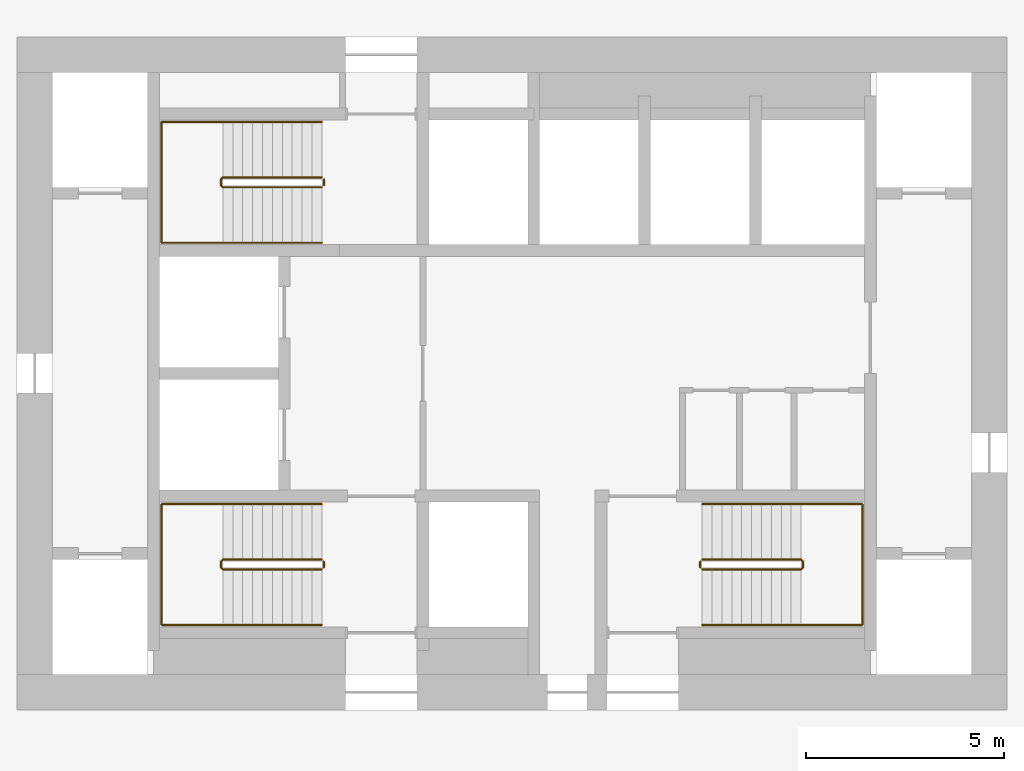
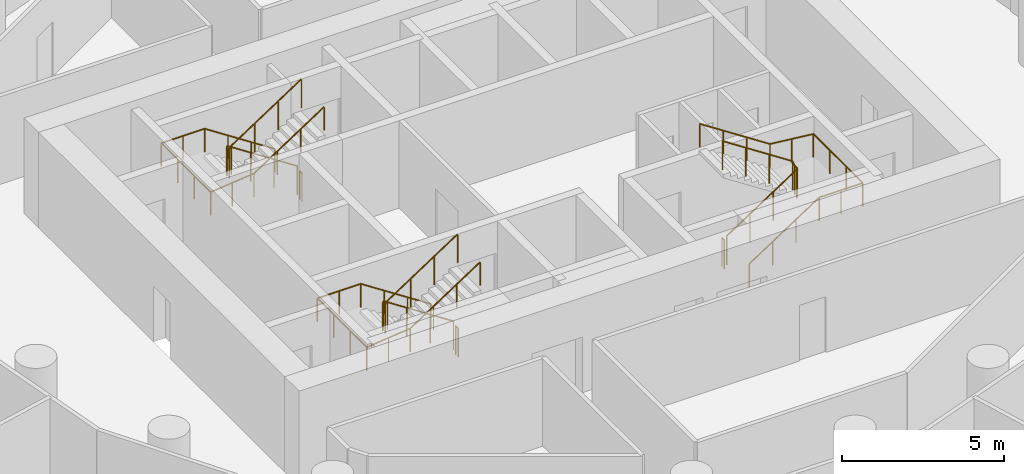
# One storey, part 9 of 9: 9 railings.
"""IFC4 building model written with IfcOpenShell, lengths in metres."""

from ifc_helpers import new_model, si_unit, direction, frame, origin, origin_2d, place, context, subcontext, project, spatial, circle, extrude, material, type_object, element, save


model = new_model("IFC4")

# Units and contexts
model_context = context("Model", 3, precision=1e-05, world=origin(), true_north=direction((0.0, 1.0)))
body_context = subcontext(model_context, "Body", "Model", "MODEL_VIEW")
ifc_project = project(units=[si_unit("LENGTHUNIT", "METRE"), si_unit("AREAUNIT", "SQUARE_METRE"), si_unit("VOLUMEUNIT", "CUBIC_METRE"), si_unit("PLANEANGLEUNIT", "RADIAN"), si_unit("MASSUNIT", "GRAM", prefix="KILO")], contexts=[model_context])

# Site, building, storey
site_placement = place(None, origin())
site = spatial("IfcSite", under=ifc_project, at=site_placement, CompositionType="ELEMENT")
building_placement = place(site_placement, origin())
building = spatial("IfcBuilding", under=site, at=building_placement, Name="Tracery Tower", CompositionType="ELEMENT")
storey_placement = place(building_placement, frame((0.0, 0.0, 165.60009765625)))
storey = spatial("IfcBuildingStorey", under=building, at=storey_placement, Name="L42", CompositionType="ELEMENT", Elevation=165.60009765625)

# Railings
ifc_material_1 = material(Name="Stainless steel and laminated glass", Category="steel")
railing_type_1 = type_object("IfcRailingType", Name="Stair guard 1100", PredefinedType="GUARDRAIL", material=ifc_material_1)
railing_1_placement = place(storey_placement, frame((-4.800048828125, -4.699951171875, 0.16357421875)))
element("IfcRailing", 1, at=railing_1_placement, inside=storey, type_object=railing_type_1, Name="L42 stair ST1 guard 1", PredefinedType="GUARDRAIL", context=body_context, shape_type="SweptSolid", body=[
    extrude(circle(Radius=0.02392578125, at=origin_2d()), frame((0.0, 0.0, 1.076171875), z_axis=(-0.836721939367, 0.0, 0.547627972425), x_axis=(0.0, -1.0, 0.0)), (0.0, 0.0, 1.0), 2.98779296875),
    extrude(circle(Radius=0.02392578125, at=origin_2d()), frame((-2.5, 0.0, 2.71240234375), z_axis=(-0.707106781187, -0.707106781187, 0.0), x_axis=(0.707106781187, -0.707106781187, 0.0)), (0.0, 0.0, 1.0), 0.07080078125),
    extrude(circle(Radius=0.02392578125, at=origin_2d()), frame((-2.550048828125, -0.050048828125, 2.71240234375), z_axis=(0.0, -1.0, 0.0), x_axis=(1.0, 0.0, 0.0)), (0.0, 0.0, 1.0), 0.14990234375),
    extrude(circle(Radius=0.02392578125, at=origin_2d()), frame((-2.550048828125, -0.199951171875, 2.71240234375), z_axis=(0.280456126637, -0.280456126637, 0.917980785237), x_axis=(0.707106781187, 0.707106781187, 0.0)), (0.0, 0.0, 1.0), 0.178466796875),
    extrude(circle(Radius=0.02392578125, at=origin_2d()), frame((-2.5, -0.25, 2.8759765625), z_axis=(0.836721939367, 0.0, 0.547627972425), x_axis=(0.0, 1.0, 0.0)), (0.0, 0.0, 1.0), 2.98779296875),
    extrude(circle(Radius=0.02099609375, at=origin_2d()), origin(), (0.0, 0.0, 1.0), 1.052001953125),
    extrude(circle(Radius=0.02099609375, at=origin_2d()), frame((-0.833251953125, 0.0, 0.54541015625)), (0.0, 0.0, 1.0), 1.052001953125),
    extrude(circle(Radius=0.02099609375, at=origin_2d()), frame((-1.666748046875, 0.0, 1.0908203125)), (0.0, 0.0, 1.0), 1.052001953125),
    extrude(circle(Radius=0.02099609375, at=origin_2d()), frame((-2.5, 0.0, 1.63623046875)), (0.0, 0.0, 1.0), 1.052001953125),
    extrude(circle(Radius=0.02099609375, at=origin_2d()), frame((-2.550048828125, -0.050048828125, 1.63623046875)), (0.0, 0.0, 1.0), 1.052001953125),
    extrude(circle(Radius=0.02099609375, at=origin_2d()), frame((-2.550048828125, -0.199951171875, 1.63623046875)), (0.0, 0.0, 1.0), 1.052001953125),
    extrude(circle(Radius=0.02099609375, at=origin_2d()), frame((-2.5, -0.25, 1.800048828125)), (0.0, 0.0, 1.0), 1.052001953125),
    extrude(circle(Radius=0.02099609375, at=origin_2d()), frame((-1.666748046875, -0.25, 2.345458984375)), (0.0, 0.0, 1.0), 1.052001953125),
    extrude(circle(Radius=0.02099609375, at=origin_2d()), frame((-0.833251953125, -0.25, 2.890869140625)), (0.0, 0.0, 1.0), 1.052001953125),
    extrude(circle(Radius=0.02099609375, at=origin_2d()), frame((0.0, -0.25, 3.436279296875)), (0.0, 0.0, 1.0), 1.052001953125),
])
railing_2_placement = place(storey_placement, frame((-4.75, -4.75, 0.0)))
element("IfcRailing", 2, at=railing_2_placement, inside=storey, type_object=railing_type_1, Name="L42 stair ST1 guard 2", PredefinedType="GUARDRAIL", context=body_context, shape_type="SweptSolid", body=[
    extrude(circle(Radius=0.02392578125, at=origin_2d()), frame((0.0, 0.0, 1.076171875), z_axis=(0.0, -1.0, 0.0), x_axis=(1.0, 0.0, 0.0)), (0.0, 0.0, 1.0), 0.14990234375),
    extrude(circle(Radius=0.02099609375, at=origin_2d()), origin(), (0.0, 0.0, 1.0), 1.052001953125),
    extrude(circle(Radius=0.02099609375, at=origin_2d()), frame((0.0, -0.14990234375, 0.0)), (0.0, 0.0, 1.0), 1.052001953125),
])
railing_3_placement = place(storey_placement, frame((-4.800048828125, 4.949951171875, 0.16357421875)))
element("IfcRailing", 3, at=railing_3_placement, inside=storey, type_object=railing_type_1, Name="L42 stair ST3 guard 1", PredefinedType="GUARDRAIL", context=body_context, shape_type="SweptSolid", body=[
    extrude(circle(Radius=0.02392578125, at=origin_2d()), frame((0.0, 0.0, 1.076171875), z_axis=(-0.836721939367, 0.0, 0.547627972425), x_axis=(0.0, -1.0, 0.0)), (0.0, 0.0, 1.0), 2.98779296875),
    extrude(circle(Radius=0.02392578125, at=origin_2d()), frame((-2.5, 0.0, 2.71240234375), z_axis=(-0.707106781187, -0.707106781187, 0.0), x_axis=(0.707106781187, -0.707106781187, 0.0)), (0.0, 0.0, 1.0), 0.07080078125),
    extrude(circle(Radius=0.02392578125, at=origin_2d()), frame((-2.550048828125, -0.050048828125, 2.71240234375), z_axis=(0.0, -1.0, 0.0), x_axis=(1.0, 0.0, 0.0)), (0.0, 0.0, 1.0), 0.14990234375),
    extrude(circle(Radius=0.02392578125, at=origin_2d()), frame((-2.550048828125, -0.199951171875, 2.71240234375), z_axis=(0.280456126637, -0.280456126637, 0.917980785237), x_axis=(0.707106781187, 0.707106781187, 0.0)), (0.0, 0.0, 1.0), 0.178466796875),
    extrude(circle(Radius=0.02392578125, at=origin_2d()), frame((-2.5, -0.25, 2.8759765625), z_axis=(0.836721939367, 0.0, 0.547627972425), x_axis=(0.0, 1.0, 0.0)), (0.0, 0.0, 1.0), 2.98779296875),
    extrude(circle(Radius=0.02099609375, at=origin_2d()), origin(), (0.0, 0.0, 1.0), 1.052001953125),
    extrude(circle(Radius=0.02099609375, at=origin_2d()), frame((-0.833251953125, 0.0, 0.54541015625)), (0.0, 0.0, 1.0), 1.052001953125),
    extrude(circle(Radius=0.02099609375, at=origin_2d()), frame((-1.666748046875, 0.0, 1.0908203125)), (0.0, 0.0, 1.0), 1.052001953125),
    extrude(circle(Radius=0.02099609375, at=origin_2d()), frame((-2.5, 0.0, 1.63623046875)), (0.0, 0.0, 1.0), 1.052001953125),
    extrude(circle(Radius=0.02099609375, at=origin_2d()), frame((-2.550048828125, -0.050048828125, 1.63623046875)), (0.0, 0.0, 1.0), 1.052001953125),
    extrude(circle(Radius=0.02099609375, at=origin_2d()), frame((-2.550048828125, -0.199951171875, 1.63623046875)), (0.0, 0.0, 1.0), 1.052001953125),
    extrude(circle(Radius=0.02099609375, at=origin_2d()), frame((-2.5, -0.25, 1.800048828125)), (0.0, 0.0, 1.0), 1.052001953125),
    extrude(circle(Radius=0.02099609375, at=origin_2d()), frame((-1.666748046875, -0.25, 2.345458984375)), (0.0, 0.0, 1.0), 1.052001953125),
    extrude(circle(Radius=0.02099609375, at=origin_2d()), frame((-0.833251953125, -0.25, 2.890869140625)), (0.0, 0.0, 1.0), 1.052001953125),
    extrude(circle(Radius=0.02099609375, at=origin_2d()), frame((0.0, -0.25, 3.436279296875)), (0.0, 0.0, 1.0), 1.052001953125),
])
railing_4_placement = place(storey_placement, frame((-4.75, 4.89990234375, 0.0)))
element("IfcRailing", 4, at=railing_4_placement, inside=storey, type_object=railing_type_1, Name="L42 stair ST3 guard 2", PredefinedType="GUARDRAIL", context=body_context, shape_type="SweptSolid", body=[
    extrude(circle(Radius=0.02392578125, at=origin_2d()), frame((0.0, 0.0, 1.076171875), z_axis=(0.0, -1.0, 0.0), x_axis=(1.0, 0.0, 0.0)), (0.0, 0.0, 1.0), 0.14990234375),
    extrude(circle(Radius=0.02099609375, at=origin_2d()), origin(), (0.0, 0.0, 1.0), 1.052001953125),
    extrude(circle(Radius=0.02099609375, at=origin_2d()), frame((0.0, -0.14990234375, 0.0)), (0.0, 0.0, 1.0), 1.052001953125),
])
railing_5_placement = place(storey_placement, frame((4.800048828125, -4.949951171875, 0.16357421875)))
element("IfcRailing", 5, at=railing_5_placement, inside=storey, type_object=railing_type_1, Name="L42 stair ST2 guard 1", PredefinedType="GUARDRAIL", context=body_context, shape_type="SweptSolid", body=[
    extrude(circle(Radius=0.02392578125, at=origin_2d()), frame((0.0, 0.0, 1.076171875), z_axis=(0.836721939367, 0.0, 0.547627972425), x_axis=(0.0, 1.0, 0.0)), (0.0, 0.0, 1.0), 2.98779296875),
    extrude(circle(Radius=0.02392578125, at=origin_2d()), frame((2.5, 0.0, 2.71240234375), z_axis=(0.707106781187, 0.707106781187, 0.0), x_axis=(-0.707106781187, 0.707106781187, 0.0)), (0.0, 0.0, 1.0), 0.07080078125),
    extrude(circle(Radius=0.02392578125, at=origin_2d()), frame((2.550048828125, 0.050048828125, 2.71240234375), z_axis=(0.0, 1.0, 0.0), x_axis=(-1.0, 0.0, 0.0)), (0.0, 0.0, 1.0), 0.14990234375),
    extrude(circle(Radius=0.02392578125, at=origin_2d()), frame((2.550048828125, 0.199951171875, 2.71240234375), z_axis=(-0.280456126637, 0.280456126637, 0.917980785237), x_axis=(-0.707106781187, -0.707106781187, 0.0)), (0.0, 0.0, 1.0), 0.178466796875),
    extrude(circle(Radius=0.02392578125, at=origin_2d()), frame((2.5, 0.25, 2.8759765625), z_axis=(-0.836721939367, 0.0, 0.547627972425), x_axis=(0.0, -1.0, 0.0)), (0.0, 0.0, 1.0), 2.98779296875),
    extrude(circle(Radius=0.02099609375, at=origin_2d()), origin(), (0.0, 0.0, 1.0), 1.052001953125),
    extrude(circle(Radius=0.02099609375, at=origin_2d()), frame((0.833251953125, 0.0, 0.54541015625)), (0.0, 0.0, 1.0), 1.052001953125),
    extrude(circle(Radius=0.02099609375, at=origin_2d()), frame((1.666748046875, 0.0, 1.0908203125)), (0.0, 0.0, 1.0), 1.052001953125),
    extrude(circle(Radius=0.02099609375, at=origin_2d()), frame((2.5, 0.0, 1.63623046875)), (0.0, 0.0, 1.0), 1.052001953125),
    extrude(circle(Radius=0.02099609375, at=origin_2d()), frame((2.550048828125, 0.050048828125, 1.63623046875)), (0.0, 0.0, 1.0), 1.052001953125),
    extrude(circle(Radius=0.02099609375, at=origin_2d()), frame((2.550048828125, 0.199951171875, 1.63623046875)), (0.0, 0.0, 1.0), 1.052001953125),
    extrude(circle(Radius=0.02099609375, at=origin_2d()), frame((2.5, 0.25, 1.800048828125)), (0.0, 0.0, 1.0), 1.052001953125),
    extrude(circle(Radius=0.02099609375, at=origin_2d()), frame((1.666748046875, 0.25, 2.345458984375)), (0.0, 0.0, 1.0), 1.052001953125),
    extrude(circle(Radius=0.02099609375, at=origin_2d()), frame((0.833251953125, 0.25, 2.890869140625)), (0.0, 0.0, 1.0), 1.052001953125),
    extrude(circle(Radius=0.02099609375, at=origin_2d()), frame((0.0, 0.25, 3.436279296875)), (0.0, 0.0, 1.0), 1.052001953125),
])
railing_6_placement = place(storey_placement, frame((4.75, -4.89990234375, 0.0)))
element("IfcRailing", 6, at=railing_6_placement, inside=storey, type_object=railing_type_1, Name="L42 stair ST2 guard 2", PredefinedType="GUARDRAIL", context=body_context, shape_type="SweptSolid", body=[
    extrude(circle(Radius=0.02392578125, at=origin_2d()), frame((0.0, 0.0, 1.076171875), z_axis=(0.0, 1.0, 0.0), x_axis=(-1.0, 0.0, 0.0)), (0.0, 0.0, 1.0), 0.14990234375),
    extrude(circle(Radius=0.02099609375, at=origin_2d()), origin(), (0.0, 0.0, 1.0), 1.052001953125),
    extrude(circle(Radius=0.02099609375, at=origin_2d()), frame((0.0, 0.14990234375, 0.0)), (0.0, 0.0, 1.0), 1.052001953125),
])
ifc_material_2 = material(Name="Stainless steel and laminated glass", Category="steel")
railing_type_2 = type_object("IfcRailingType", Name="Stair handrail 900", PredefinedType="HANDRAIL", material=ifc_material_2)
railing_7_placement = place(storey_placement, frame((-4.800048828125, -3.300048828125, 0.16357421875)))
element("IfcRailing", 7, at=railing_7_placement, inside=storey, type_object=railing_type_2, Name="L42 stair ST1 handrail 1", PredefinedType="HANDRAIL", context=body_context, shape_type="SweptSolid", body=[
    extrude(circle(Radius=0.02392578125, at=origin_2d()), frame((0.0, 0.0, 0.8759765625), z_axis=(-0.836721939367, 0.0, 0.547627972425), x_axis=(0.0, -1.0, 0.0)), (0.0, 0.0, 1.0), 2.98779296875),
    extrude(circle(Radius=0.02392578125, at=origin_2d()), frame((-2.5, 0.0, 2.51220703125), z_axis=(-1.0, 0.0, 0.0), x_axis=(0.0, -1.0, 0.0)), (0.0, 0.0, 1.0), 1.550048828125),
    extrude(circle(Radius=0.02392578125, at=origin_2d()), frame((-4.050048828125, 0.0, 2.51220703125), z_axis=(0.0, -1.0, 0.0), x_axis=(1.0, 0.0, 0.0)), (0.0, 0.0, 1.0), 3.050048828125),
    extrude(circle(Radius=0.02392578125, at=origin_2d()), frame((-4.050048828125, -3.050048828125, 2.51220703125), z_axis=(0.994461594632, 0.0, 0.105100603244), x_axis=(0.0, 1.0, 0.0)), (0.0, 0.0, 1.0), 1.55859375),
    extrude(circle(Radius=0.02392578125, at=origin_2d()), frame((-2.5, -3.050048828125, 2.67578125), z_axis=(0.836721939367, 0.0, 0.547627972425), x_axis=(0.0, 1.0, 0.0)), (0.0, 0.0, 1.0), 2.98779296875),
    extrude(circle(Radius=0.02099609375, at=origin_2d()), origin(), (0.0, 0.0, 1.0), 0.851806640625),
    extrude(circle(Radius=0.02099609375, at=origin_2d()), frame((-0.833251953125, 0.0, 0.54541015625)), (0.0, 0.0, 1.0), 0.851806640625),
    extrude(circle(Radius=0.02099609375, at=origin_2d()), frame((-1.666748046875, 0.0, 1.0908203125)), (0.0, 0.0, 1.0), 0.851806640625),
    extrude(circle(Radius=0.02099609375, at=origin_2d()), frame((-2.5, 0.0, 1.63623046875)), (0.0, 0.0, 1.0), 0.851806640625),
    extrude(circle(Radius=0.02099609375, at=origin_2d()), frame((-3.27490234375, 0.0, 1.63623046875)), (0.0, 0.0, 1.0), 0.851806640625),
    extrude(circle(Radius=0.02099609375, at=origin_2d()), frame((-4.050048828125, 0.0, 1.63623046875)), (0.0, 0.0, 1.0), 0.851806640625),
    extrude(circle(Radius=0.02099609375, at=origin_2d()), frame((-4.050048828125, -1.0166015625, 1.63623046875)), (0.0, 0.0, 1.0), 0.851806640625),
    extrude(circle(Radius=0.02099609375, at=origin_2d()), frame((-4.050048828125, -2.033447265625, 1.63623046875)), (0.0, 0.0, 1.0), 0.851806640625),
    extrude(circle(Radius=0.02099609375, at=origin_2d()), frame((-4.050048828125, -3.050048828125, 1.63623046875)), (0.0, 0.0, 1.0), 0.851806640625),
    extrude(circle(Radius=0.02099609375, at=origin_2d()), frame((-3.27490234375, -3.050048828125, 1.71826171875)), (0.0, 0.0, 1.0), 0.851806640625),
    extrude(circle(Radius=0.02099609375, at=origin_2d()), frame((-2.5, -3.050048828125, 1.800048828125)), (0.0, 0.0, 1.0), 0.851806640625),
    extrude(circle(Radius=0.02099609375, at=origin_2d()), frame((-1.666748046875, -3.050048828125, 2.345458984375)), (0.0, 0.0, 1.0), 0.851806640625),
    extrude(circle(Radius=0.02099609375, at=origin_2d()), frame((-0.833251953125, -3.050048828125, 2.890869140625)), (0.0, 0.0, 1.0), 0.851806640625),
    extrude(circle(Radius=0.02099609375, at=origin_2d()), frame((0.0, -3.050048828125, 3.436279296875)), (0.0, 0.0, 1.0), 0.851806640625),
])
railing_8_placement = place(storey_placement, frame((-4.800048828125, 6.35009765625, 0.16357421875)))
element("IfcRailing", 8, at=railing_8_placement, inside=storey, type_object=railing_type_2, Name="L42 stair ST3 handrail 1", PredefinedType="HANDRAIL", context=body_context, shape_type="SweptSolid", body=[
    extrude(circle(Radius=0.02392578125, at=origin_2d()), frame((0.0, 0.0, 0.8759765625), z_axis=(-0.836721939367, 0.0, 0.547627972425), x_axis=(0.0, -1.0, 0.0)), (0.0, 0.0, 1.0), 2.98779296875),
    extrude(circle(Radius=0.02392578125, at=origin_2d()), frame((-2.5, 0.0, 2.51220703125), z_axis=(-1.0, 0.0, 0.0), x_axis=(0.0, -1.0, 0.0)), (0.0, 0.0, 1.0), 1.550048828125),
    extrude(circle(Radius=0.02392578125, at=origin_2d()), frame((-4.050048828125, 0.0, 2.51220703125), z_axis=(0.0, -1.0, 0.0), x_axis=(1.0, 0.0, 0.0)), (0.0, 0.0, 1.0), 3.050048828125),
    extrude(circle(Radius=0.02392578125, at=origin_2d()), frame((-4.050048828125, -3.050048828125, 2.51220703125), z_axis=(0.994461594632, 0.0, 0.105100603244), x_axis=(0.0, 1.0, 0.0)), (0.0, 0.0, 1.0), 1.55859375),
    extrude(circle(Radius=0.02392578125, at=origin_2d()), frame((-2.5, -3.050048828125, 2.67578125), z_axis=(0.836721939367, 0.0, 0.547627972425), x_axis=(0.0, 1.0, 0.0)), (0.0, 0.0, 1.0), 2.98779296875),
    extrude(circle(Radius=0.02099609375, at=origin_2d()), origin(), (0.0, 0.0, 1.0), 0.851806640625),
    extrude(circle(Radius=0.02099609375, at=origin_2d()), frame((-0.833251953125, 0.0, 0.54541015625)), (0.0, 0.0, 1.0), 0.851806640625),
    extrude(circle(Radius=0.02099609375, at=origin_2d()), frame((-1.666748046875, 0.0, 1.0908203125)), (0.0, 0.0, 1.0), 0.851806640625),
    extrude(circle(Radius=0.02099609375, at=origin_2d()), frame((-2.5, 0.0, 1.63623046875)), (0.0, 0.0, 1.0), 0.851806640625),
    extrude(circle(Radius=0.02099609375, at=origin_2d()), frame((-3.27490234375, 0.0, 1.63623046875)), (0.0, 0.0, 1.0), 0.851806640625),
    extrude(circle(Radius=0.02099609375, at=origin_2d()), frame((-4.050048828125, 0.0, 1.63623046875)), (0.0, 0.0, 1.0), 0.851806640625),
    extrude(circle(Radius=0.02099609375, at=origin_2d()), frame((-4.050048828125, -1.0166015625, 1.63623046875)), (0.0, 0.0, 1.0), 0.851806640625),
    extrude(circle(Radius=0.02099609375, at=origin_2d()), frame((-4.050048828125, -2.033447265625, 1.63623046875)), (0.0, 0.0, 1.0), 0.851806640625),
    extrude(circle(Radius=0.02099609375, at=origin_2d()), frame((-4.050048828125, -3.050048828125, 1.63623046875)), (0.0, 0.0, 1.0), 0.851806640625),
    extrude(circle(Radius=0.02099609375, at=origin_2d()), frame((-3.27490234375, -3.050048828125, 1.71826171875)), (0.0, 0.0, 1.0), 0.851806640625),
    extrude(circle(Radius=0.02099609375, at=origin_2d()), frame((-2.5, -3.050048828125, 1.800048828125)), (0.0, 0.0, 1.0), 0.851806640625),
    extrude(circle(Radius=0.02099609375, at=origin_2d()), frame((-1.666748046875, -3.050048828125, 2.345458984375)), (0.0, 0.0, 1.0), 0.851806640625),
    extrude(circle(Radius=0.02099609375, at=origin_2d()), frame((-0.833251953125, -3.050048828125, 2.890869140625)), (0.0, 0.0, 1.0), 0.851806640625),
    extrude(circle(Radius=0.02099609375, at=origin_2d()), frame((0.0, -3.050048828125, 3.436279296875)), (0.0, 0.0, 1.0), 0.851806640625),
])
railing_9_placement = place(storey_placement, frame((4.800048828125, -6.35009765625, 0.16357421875)))
element("IfcRailing", 9, at=railing_9_placement, inside=storey, type_object=railing_type_2, Name="L42 stair ST2 handrail 1", PredefinedType="HANDRAIL", context=body_context, shape_type="SweptSolid", body=[
    extrude(circle(Radius=0.02392578125, at=origin_2d()), frame((0.0, 0.0, 0.8759765625), z_axis=(0.836721939367, 0.0, 0.547627972425), x_axis=(0.0, 1.0, 0.0)), (0.0, 0.0, 1.0), 2.98779296875),
    extrude(circle(Radius=0.02392578125, at=origin_2d()), frame((2.5, 0.0, 2.51220703125), z_axis=(1.0, 0.0, 0.0), x_axis=(0.0, 1.0, 0.0)), (0.0, 0.0, 1.0), 1.550048828125),
    extrude(circle(Radius=0.02392578125, at=origin_2d()), frame((4.050048828125, 0.0, 2.51220703125), z_axis=(0.0, 1.0, 0.0), x_axis=(-1.0, 0.0, 0.0)), (0.0, 0.0, 1.0), 3.050048828125),
    extrude(circle(Radius=0.02392578125, at=origin_2d()), frame((4.050048828125, 3.050048828125, 2.51220703125), z_axis=(-0.994461594632, 0.0, 0.105100603244), x_axis=(0.0, -1.0, 0.0)), (0.0, 0.0, 1.0), 1.55859375),
    extrude(circle(Radius=0.02392578125, at=origin_2d()), frame((2.5, 3.050048828125, 2.67578125), z_axis=(-0.836721939367, 0.0, 0.547627972425), x_axis=(0.0, -1.0, 0.0)), (0.0, 0.0, 1.0), 2.98779296875),
    extrude(circle(Radius=0.02099609375, at=origin_2d()), origin(), (0.0, 0.0, 1.0), 0.851806640625),
    extrude(circle(Radius=0.02099609375, at=origin_2d()), frame((0.833251953125, 0.0, 0.54541015625)), (0.0, 0.0, 1.0), 0.851806640625),
    extrude(circle(Radius=0.02099609375, at=origin_2d()), frame((1.666748046875, 0.0, 1.0908203125)), (0.0, 0.0, 1.0), 0.851806640625),
    extrude(circle(Radius=0.02099609375, at=origin_2d()), frame((2.5, 0.0, 1.63623046875)), (0.0, 0.0, 1.0), 0.851806640625),
    extrude(circle(Radius=0.02099609375, at=origin_2d()), frame((3.27490234375, 0.0, 1.63623046875)), (0.0, 0.0, 1.0), 0.851806640625),
    extrude(circle(Radius=0.02099609375, at=origin_2d()), frame((4.050048828125, 0.0, 1.63623046875)), (0.0, 0.0, 1.0), 0.851806640625),
    extrude(circle(Radius=0.02099609375, at=origin_2d()), frame((4.050048828125, 1.0166015625, 1.63623046875)), (0.0, 0.0, 1.0), 0.851806640625),
    extrude(circle(Radius=0.02099609375, at=origin_2d()), frame((4.050048828125, 2.033447265625, 1.63623046875)), (0.0, 0.0, 1.0), 0.851806640625),
    extrude(circle(Radius=0.02099609375, at=origin_2d()), frame((4.050048828125, 3.050048828125, 1.63623046875)), (0.0, 0.0, 1.0), 0.851806640625),
    extrude(circle(Radius=0.02099609375, at=origin_2d()), frame((3.27490234375, 3.050048828125, 1.71826171875)), (0.0, 0.0, 1.0), 0.851806640625),
    extrude(circle(Radius=0.02099609375, at=origin_2d()), frame((2.5, 3.050048828125, 1.800048828125)), (0.0, 0.0, 1.0), 0.851806640625),
    extrude(circle(Radius=0.02099609375, at=origin_2d()), frame((1.666748046875, 3.050048828125, 2.345458984375)), (0.0, 0.0, 1.0), 0.851806640625),
    extrude(circle(Radius=0.02099609375, at=origin_2d()), frame((0.833251953125, 3.050048828125, 2.890869140625)), (0.0, 0.0, 1.0), 0.851806640625),
    extrude(circle(Radius=0.02099609375, at=origin_2d()), frame((0.0, 3.050048828125, 3.436279296875)), (0.0, 0.0, 1.0), 0.851806640625),
])

save(model, "model.ifc")
